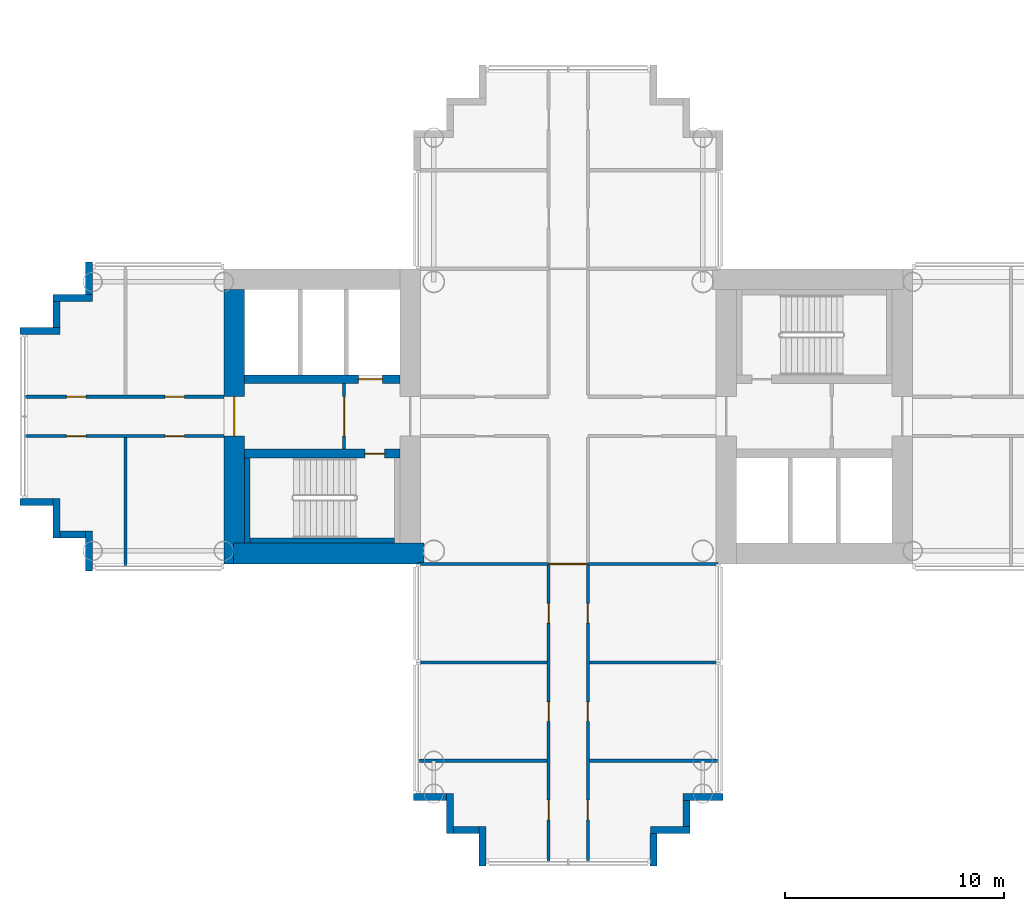
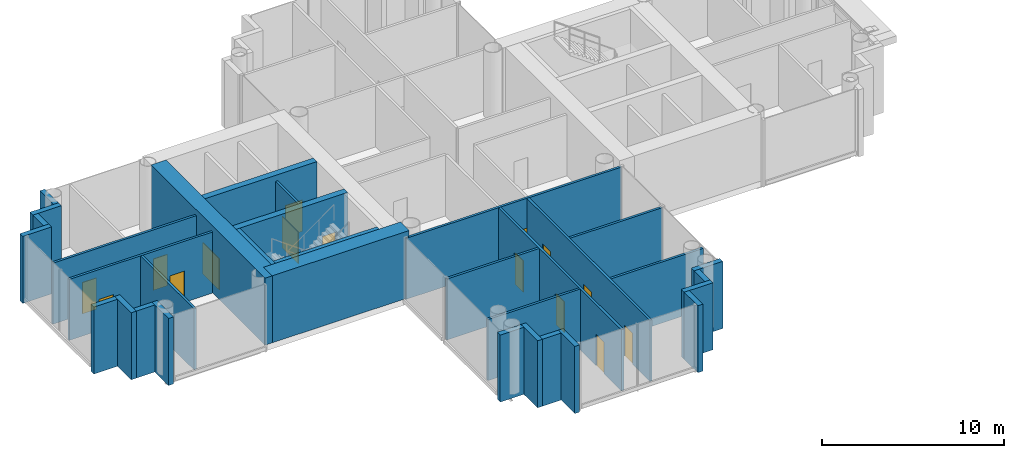
# One storey, part 10 of 20: 33 walls, 15 doors, 15 openings.
"""IFC4 building model written with IfcOpenShell, lengths in metres."""

from ifc_helpers import new_model, si_unit, direction, frame, frame_2d, origin, place, context, subcontext, project, spatial, rectangle, extrude, material, layer, layer_set, type_object, element, fill, save


model = new_model("IFC4")

# Units and contexts
model_context = context("Model", 3, precision=1e-05, world=origin(), true_north=direction((0.0, 1.0)))
body_context = subcontext(model_context, "Body", "Model", "MODEL_VIEW")
ifc_project = project(units=[si_unit("LENGTHUNIT", "METRE"), si_unit("AREAUNIT", "SQUARE_METRE"), si_unit("VOLUMEUNIT", "CUBIC_METRE"), si_unit("PLANEANGLEUNIT", "RADIAN"), si_unit("MASSUNIT", "GRAM", prefix="KILO")], contexts=[model_context])

# Site, building, storey
site_placement = place(None, origin())
site = spatial("IfcSite", under=ifc_project, at=site_placement, CompositionType="ELEMENT")
building_placement = place(site_placement, origin())
building = spatial("IfcBuilding", under=site, at=building_placement, Name="Ipe Terrace Towers", CompositionType="ELEMENT")
storey_placement = place(building_placement, frame((0.0, 0.0, 124.199951171875)))
storey = spatial("IfcBuildingStorey", under=building, at=storey_placement, Name="L34", CompositionType="ELEMENT", Elevation=124.199951171875)

# Walls
ifc_material_1 = material(Name="Concrete C40/50 with buff precast cladding", Category="concrete")
ifc_layer_1 = layer(ifc_material_1, 0.320068359375)
ifc_layer_set_1 = layer_set([ifc_layer_1], Name="BUFF CLADDING WALL 320")
wall_type_1 = type_object("IfcWallType", Name="BUFF CLADDING WALL 320", PredefinedType="STANDARD", material=ifc_layer_set_1)
wall_1_placement = place(storey_placement, frame((-61.070068359375, -3.909912109375, -0.300048828125), z_axis=(0.0, 0.0, 1.0), x_axis=(1.0, 0.0, 0.0)))
element("IfcWall", 1, at=wall_1_placement, inside=storey, type_object=wall_type_1, Name="T1-W-L34-00a wall", PredefinedType="STANDARD", context=body_context, shape_type="SweptSolid", body=[
    extrude(rectangle(XDim=1.5, YDim=0.320068359375, at=frame_2d((0.75, 0.0))), origin(), (0.0, 0.0, 1.0), 4.5),
])
wall_2_placement = place(storey_placement, frame((-59.409912109375, -3.75, -0.300048828125), z_axis=(0.0, 0.0, 1.0), x_axis=(0.0, -1.0, 0.0)))
element("IfcWall", 2, at=wall_2_placement, inside=storey, type_object=wall_type_1, Name="T1-W-L34-01a wall", PredefinedType="STANDARD", context=body_context, shape_type="SweptSolid", body=[
    extrude(rectangle(XDim=1.820068359375, YDim=0.320068359375, at=frame_2d((0.91015625, 0.0))), origin(), (0.0, 0.0, 1.0), 4.5),
])
wall_3_placement = place(storey_placement, frame((-59.25, -5.409912109375, -0.300048828125), z_axis=(0.0, 0.0, 1.0), x_axis=(1.0, 0.0, 0.0)))
element("IfcWall", 3, at=wall_3_placement, inside=storey, type_object=wall_type_1, Name="T1-W-L34-02a wall", PredefinedType="STANDARD", context=body_context, shape_type="SweptSolid", body=[
    extrude(rectangle(XDim=1.179931640625, YDim=0.320068359375, at=frame_2d((0.58984375, 0.0))), origin(), (0.0, 0.0, 1.0), 4.5),
])
wall_4_placement = place(storey_placement, frame((-57.909912109375, -5.25, -0.300048828125), z_axis=(0.0, 0.0, 1.0), x_axis=(0.0, -1.0, 0.0)))
element("IfcWall", 4, at=wall_4_placement, inside=storey, type_object=wall_type_1, Name="T1-W-L34-03a wall", PredefinedType="STANDARD", context=body_context, shape_type="SweptSolid", body=[
    extrude(rectangle(XDim=1.820068359375, YDim=0.320068359375, at=frame_2d((0.91015625, 0.0))), origin(), (0.0, 0.0, 1.0), 4.5),
])
wall_5_placement = place(storey_placement, frame((-43.070068359375, -17.409912109375, -0.300048828125), z_axis=(0.0, 0.0, 1.0), x_axis=(1.0, 0.0, 0.0)))
element("IfcWall", 5, at=wall_5_placement, inside=storey, type_object=wall_type_1, Name="T1-W-L34-08a wall", PredefinedType="STANDARD", context=body_context, shape_type="SweptSolid", body=[
    extrude(rectangle(XDim=1.5, YDim=0.320068359375, at=frame_2d((0.75, 0.0))), origin(), (0.0, 0.0, 1.0), 4.5),
])
wall_6_placement = place(storey_placement, frame((-41.409912109375, -17.25, -0.300048828125), z_axis=(0.0, 0.0, 1.0), x_axis=(0.0, -1.0, 0.0)))
element("IfcWall", 6, at=wall_6_placement, inside=storey, type_object=wall_type_1, Name="T1-W-L34-09a wall", PredefinedType="STANDARD", context=body_context, shape_type="SweptSolid", body=[
    extrude(rectangle(XDim=1.820068359375, YDim=0.320068359375, at=frame_2d((0.91015625, 0.0))), origin(), (0.0, 0.0, 1.0), 4.5),
])
wall_7_placement = place(storey_placement, frame((-41.25, -18.909912109375, -0.300048828125), z_axis=(0.0, 0.0, 1.0), x_axis=(1.0, 0.0, 0.0)))
element("IfcWall", 7, at=wall_7_placement, inside=storey, type_object=wall_type_1, Name="T1-W-L34-10a wall", PredefinedType="STANDARD", context=body_context, shape_type="SweptSolid", body=[
    extrude(rectangle(XDim=1.179931640625, YDim=0.320068359375, at=frame_2d((0.58984375, 0.0))), origin(), (0.0, 0.0, 1.0), 4.5),
])
wall_8_placement = place(storey_placement, frame((-39.909912109375, -18.75, -0.300048828125), z_axis=(0.0, 0.0, 1.0), x_axis=(0.0, -1.0, 0.0)))
element("IfcWall", 8, at=wall_8_placement, inside=storey, type_object=wall_type_1, Name="T1-W-L34-11a wall", PredefinedType="STANDARD", context=body_context, shape_type="SweptSolid", body=[
    extrude(rectangle(XDim=1.820068359375, YDim=0.320068359375, at=frame_2d((0.91015625, 0.0))), origin(), (0.0, 0.0, 1.0), 4.5),
])
wall_9_placement = place(storey_placement, frame((-32.090087890625, -20.570068359375, -0.300048828125), z_axis=(0.0, 0.0, 1.0), x_axis=(0.0, 1.0, 0.0)))
element("IfcWall", 9, at=wall_9_placement, inside=storey, type_object=wall_type_1, Name="T1-W-L34-13a wall", PredefinedType="STANDARD", context=body_context, shape_type="SweptSolid", body=[
    extrude(rectangle(XDim=1.5, YDim=0.320068359375, at=frame_2d((0.75, 0.0))), origin(), (0.0, 0.0, 1.0), 4.5),
])
wall_10_placement = place(storey_placement, frame((-32.25, -18.909912109375, -0.300048828125), z_axis=(0.0, 0.0, 1.0), x_axis=(1.0, 0.0, 0.0)))
element("IfcWall", 10, at=wall_10_placement, inside=storey, type_object=wall_type_1, Name="T1-W-L34-14a wall", PredefinedType="STANDARD", context=body_context, shape_type="SweptSolid", body=[
    extrude(rectangle(XDim=1.820068359375, YDim=0.320068359375, at=frame_2d((0.91015625, 0.0))), origin(), (0.0, 0.0, 1.0), 4.5),
])
wall_11_placement = place(storey_placement, frame((-30.590087890625, -18.75, -0.300048828125), z_axis=(0.0, 0.0, 1.0), x_axis=(0.0, 1.0, 0.0)))
element("IfcWall", 11, at=wall_11_placement, inside=storey, type_object=wall_type_1, Name="T1-W-L34-15a wall", PredefinedType="STANDARD", context=body_context, shape_type="SweptSolid", body=[
    extrude(rectangle(XDim=1.179931640625, YDim=0.320068359375, at=frame_2d((0.58984375, 0.0))), origin(), (0.0, 0.0, 1.0), 4.5),
])
wall_12_placement = place(storey_placement, frame((-30.75, -17.409912109375, -0.300048828125), z_axis=(0.0, 0.0, 1.0), x_axis=(1.0, 0.0, 0.0)))
element("IfcWall", 12, at=wall_12_placement, inside=storey, type_object=wall_type_1, Name="T1-W-L34-16a wall", PredefinedType="STANDARD", context=body_context, shape_type="SweptSolid", body=[
    extrude(rectangle(XDim=1.820068359375, YDim=0.320068359375, at=frame_2d((0.91015625, 0.0))), origin(), (0.0, 0.0, 1.0), 4.5),
])
wall_13_placement = place(storey_placement, frame((-57.909912109375, 7.070068359375, -0.300048828125), z_axis=(0.0, 0.0, 1.0), x_axis=(0.0, -1.0, 0.0)))
element("IfcWall", 13, at=wall_13_placement, inside=storey, type_object=wall_type_1, Name="T1-W-L34-47a wall", PredefinedType="STANDARD", context=body_context, shape_type="SweptSolid", body=[
    extrude(rectangle(XDim=1.5, YDim=0.320068359375, at=frame_2d((0.75, 0.0))), origin(), (0.0, 0.0, 1.0), 4.5),
])
wall_14_placement = place(storey_placement, frame((-57.75, 5.409912109375, -0.300048828125), z_axis=(0.0, 0.0, 1.0), x_axis=(-1.0, 0.0, 0.0)))
element("IfcWall", 14, at=wall_14_placement, inside=storey, type_object=wall_type_1, Name="T1-W-L34-48a wall", PredefinedType="STANDARD", context=body_context, shape_type="SweptSolid", body=[
    extrude(rectangle(XDim=1.820068359375, YDim=0.320068359375, at=frame_2d((0.91015625, 0.0))), origin(), (0.0, 0.0, 1.0), 4.5),
])
wall_15_placement = place(storey_placement, frame((-59.409912109375, 5.25, -0.300048828125), z_axis=(0.0, 0.0, 1.0), x_axis=(0.0, -1.0, 0.0)))
element("IfcWall", 15, at=wall_15_placement, inside=storey, type_object=wall_type_1, Name="T1-W-L34-49a wall", PredefinedType="STANDARD", context=body_context, shape_type="SweptSolid", body=[
    extrude(rectangle(XDim=1.179931640625, YDim=0.320068359375, at=frame_2d((0.58984375, 0.0))), origin(), (0.0, 0.0, 1.0), 4.5),
])
wall_16_placement = place(storey_placement, frame((-59.25, 3.909912109375, -0.300048828125), z_axis=(0.0, 0.0, 1.0), x_axis=(-1.0, 0.0, 0.0)))
element("IfcWall", 16, at=wall_16_placement, inside=storey, type_object=wall_type_1, Name="T1-W-L34-50a wall", PredefinedType="STANDARD", context=body_context, shape_type="SweptSolid", body=[
    extrude(rectangle(XDim=1.820068359375, YDim=0.320068359375, at=frame_2d((0.91015625, 0.0))), origin(), (0.0, 0.0, 1.0), 4.5),
])

# Wall, opening, door
ifc_material_2 = material(Name="Gypsum board partition", Category="plasterboard")
ifc_layer_2 = layer(ifc_material_2, 0.14990234375)
ifc_layer_set_2 = layer_set([ifc_layer_2], Name="Gypsum board partition 150 mm")
wall_type_2 = type_object("IfcWallType", Name="Gypsum board partition 150 mm", PredefinedType="PARTITIONING", material=ifc_layer_set_2)
wall_17_placement = place(storey_placement, frame((-46.25, 1.5, 0.0), z_axis=(0.0, 0.0, 1.0), x_axis=(0.0, -1.0, 0.0)))
wall_17 = element("IfcWall", 17, at=wall_17_placement, inside=storey, type_object=wall_type_2, Name="Gypsum board partition T1 L34 t1c2-lobby-wall", PredefinedType="PARTITIONING", context=body_context, shape_type="SweptSolid", body=[
    extrude(rectangle(XDim=3.0, YDim=0.14990234375, at=frame_2d((1.5, 0.0))), origin(), (0.0, 0.0, 1.0), 4.10009765625),
])
opening_1_placement = place(wall_17_placement, frame((0.60009765625, 0.0, 0.0)))
opening_1 = element("IfcOpeningElement", 18, at=opening_1_placement, cuts=wall_17, Name="Opening T1C2-VD", PredefinedType="OPENING", context=body_context, shape_type="SweptSolid", body=[
    extrude(rectangle(XDim=1.800048828125, YDim=2.10009765625, at=frame_2d((0.89990234375, 1.050048828125))), frame((0.0, 0.0849609375, 0.0), z_axis=(0.0, -1.0, 0.0), x_axis=(1.0, 0.0, 0.0)), (0.0, 0.0, 1.0), 0.169921875),
])
ifc_material_3 = material(Name="Fire-rated timber door leaf", Category="wood")
door_type_1 = type_object("IfcDoorType", Name="Lobby door 1800 x 2100 FD60", OperationType="NOTDEFINED", PredefinedType="DOOR", material=ifc_material_3)
door_1_placement = place(opening_1_placement, origin())
door_1 = element("IfcDoor", 19, at=door_1_placement, inside=storey, type_object=door_type_1, Name="Lobby door T1C2-VD", OperationType="SINGLE_SWING_LEFT", OverallHeight=2.10009765625, OverallWidth=1.800048828125, PredefinedType="DOOR", context=body_context, shape_type="SweptSolid", body=[
    extrude(rectangle(XDim=1.800048828125, YDim=2.10009765625, at=frame_2d((0.89990234375, 1.050048828125))), frame((0.0, 0.02490234375, 0.0), z_axis=(0.0, -1.0, 0.0), x_axis=(1.0, 0.0, 0.0)), (0.0, 0.0, 1.0), 0.050048828125),
])
fill(opening_1, door_1)

# Wall, openings, doors
wall_18_placement = place(storey_placement, frame((-60.85009765625, 0.89990234375, 0.0), z_axis=(0.0, 0.0, 1.0), x_axis=(1.0, 0.0, 0.0)))
wall_18 = element("IfcWall", 20, at=wall_18_placement, inside=storey, type_object=wall_type_2, Name="Gypsum board partition T1 L34 sp-Lm-wp", PredefinedType="PARTITIONING", context=body_context, shape_type="SweptSolid", body=[
    extrude(rectangle(XDim=9.10009765625, YDim=0.14990234375, at=frame_2d((4.550048828125, 0.0))), origin(), (0.0, 0.0, 1.0), 4.10009765625),
])
opening_2_placement = place(wall_18_placement, frame((1.89990234375, 0.0, 0.0)))
opening_2 = element("IfcOpeningElement", 21, at=opening_2_placement, cuts=wall_18, Name="Opening T1-SP-PLm1-FD60", PredefinedType="OPENING", context=body_context, shape_type="SweptSolid", body=[
    extrude(rectangle(XDim=0.89990234375, YDim=2.10009765625, at=frame_2d((0.449951171875, 1.050048828125))), frame((0.0, 0.0849609375, 0.0), z_axis=(0.0, -1.0, 0.0), x_axis=(1.0, 0.0, 0.0)), (0.0, 0.0, 1.0), 0.169921875),
])
opening_3_placement = place(wall_18_placement, frame((6.39990234375, 0.0, 0.0)))
opening_3 = element("IfcOpeningElement", 22, at=opening_3_placement, cuts=wall_18, Name="Opening T1-SP-PLm2-FD60", PredefinedType="OPENING", context=body_context, shape_type="SweptSolid", body=[
    extrude(rectangle(XDim=0.89990234375, YDim=2.10009765625, at=frame_2d((0.449951171875, 1.050048828125))), frame((0.0, 0.0849609375, 0.0), z_axis=(0.0, -1.0, 0.0), x_axis=(1.0, 0.0, 0.0)), (0.0, 0.0, 1.0), 0.169921875),
])
ifc_material_4 = material(Name="Fire-rated timber door leaf", Category="wood")
door_type_2 = type_object("IfcDoorType", Name="Service door 900 x 2100 FD60", OperationType="NOTDEFINED", PredefinedType="DOOR", material=ifc_material_4)
door_2_placement = place(opening_2_placement, origin())
door_2 = element("IfcDoor", 23, at=door_2_placement, inside=storey, type_object=door_type_2, Name="Service door T1-SP-PLm1-FD60", OperationType="SINGLE_SWING_RIGHT", OverallHeight=2.10009765625, OverallWidth=0.89990234375, PredefinedType="DOOR", context=body_context, shape_type="SweptSolid", body=[
    extrude(rectangle(XDim=0.89990234375, YDim=2.10009765625, at=frame_2d((0.449951171875, 1.050048828125))), frame((0.0, 0.02490234375, 0.0), z_axis=(0.0, -1.0, 0.0), x_axis=(1.0, 0.0, 0.0)), (0.0, 0.0, 1.0), 0.050048828125),
])
fill(opening_2, door_2)
door_3_placement = place(opening_3_placement, origin())
door_3 = element("IfcDoor", 24, at=door_3_placement, inside=storey, type_object=door_type_2, Name="Service door T1-SP-PLm2-FD60", OperationType="SINGLE_SWING_LEFT", OverallHeight=2.10009765625, OverallWidth=0.89990234375, PredefinedType="DOOR", context=body_context, shape_type="SweptSolid", body=[
    extrude(rectangle(XDim=0.89990234375, YDim=2.10009765625, at=frame_2d((0.449951171875, 1.050048828125))), frame((0.0, 0.02490234375, 0.0), z_axis=(0.0, -1.0, 0.0), x_axis=(1.0, 0.0, 0.0)), (0.0, 0.0, 1.0), 0.050048828125),
])
fill(opening_3, door_3)

wall_19_placement = place(storey_placement, frame((-60.85009765625, -0.89990234375, 0.0), z_axis=(0.0, 0.0, 1.0), x_axis=(1.0, 0.0, 0.0)))
wall_19 = element("IfcWall", 25, at=wall_19_placement, inside=storey, type_object=wall_type_2, Name="Gypsum board partition T1 L34 sp-Lm-wm", PredefinedType="PARTITIONING", context=body_context, shape_type="SweptSolid", body=[
    extrude(rectangle(XDim=9.10009765625, YDim=0.14990234375, at=frame_2d((4.550048828125, 0.0))), origin(), (0.0, 0.0, 1.0), 4.10009765625),
])
opening_4_placement = place(wall_19_placement, frame((1.89990234375, 0.0, 0.0)))
opening_4 = element("IfcOpeningElement", 26, at=opening_4_placement, cuts=wall_19, Name="Opening T1-SP-MLm1-FD60", PredefinedType="OPENING", context=body_context, shape_type="SweptSolid", body=[
    extrude(rectangle(XDim=0.89990234375, YDim=2.10009765625, at=frame_2d((0.449951171875, 1.050048828125))), frame((0.0, 0.0849609375, 0.0), z_axis=(0.0, -1.0, 0.0), x_axis=(1.0, 0.0, 0.0)), (0.0, 0.0, 1.0), 0.169921875),
])
opening_5_placement = place(wall_19_placement, frame((6.39990234375, 0.0, 0.0)))
opening_5 = element("IfcOpeningElement", 27, at=opening_5_placement, cuts=wall_19, Name="Opening T1-SP-MLm2-FD60", PredefinedType="OPENING", context=body_context, shape_type="SweptSolid", body=[
    extrude(rectangle(XDim=0.89990234375, YDim=2.10009765625, at=frame_2d((0.449951171875, 1.050048828125))), frame((0.0, 0.0849609375, 0.0), z_axis=(0.0, -1.0, 0.0), x_axis=(1.0, 0.0, 0.0)), (0.0, 0.0, 1.0), 0.169921875),
])
door_4_placement = place(opening_4_placement, origin())
door_4 = element("IfcDoor", 28, at=door_4_placement, inside=storey, type_object=door_type_2, Name="Service door T1-SP-MLm1-FD60", OperationType="SINGLE_SWING_LEFT", OverallHeight=2.10009765625, OverallWidth=0.89990234375, PredefinedType="DOOR", context=body_context, shape_type="SweptSolid", body=[
    extrude(rectangle(XDim=0.89990234375, YDim=2.10009765625, at=frame_2d((0.449951171875, 1.050048828125))), frame((0.0, 0.02490234375, 0.0), z_axis=(0.0, -1.0, 0.0), x_axis=(1.0, 0.0, 0.0)), (0.0, 0.0, 1.0), 0.050048828125),
])
fill(opening_4, door_4)
door_5_placement = place(opening_5_placement, origin())
door_5 = element("IfcDoor", 29, at=door_5_placement, inside=storey, type_object=door_type_2, Name="Service door T1-SP-MLm2-FD60", OperationType="SINGLE_SWING_RIGHT", OverallHeight=2.10009765625, OverallWidth=0.89990234375, PredefinedType="DOOR", context=body_context, shape_type="SweptSolid", body=[
    extrude(rectangle(XDim=0.89990234375, YDim=2.10009765625, at=frame_2d((0.449951171875, 1.050048828125))), frame((0.0, 0.02490234375, 0.0), z_axis=(0.0, -1.0, 0.0), x_axis=(1.0, 0.0, 0.0)), (0.0, 0.0, 1.0), 0.050048828125),
])
fill(opening_5, door_5)

# Wall
wall_20_placement = place(storey_placement, frame((-56.25, -0.97509765625, 0.0), z_axis=(0.0, 0.0, 1.0), x_axis=(0.0, -1.0, 0.0)))
element("IfcWall", 30, at=wall_20_placement, inside=storey, type_object=wall_type_2, Name="Gypsum board partition T1 L34 sp-Lm-dm1", PredefinedType="PARTITIONING", context=body_context, shape_type="SweptSolid", body=[
    extrude(rectangle(XDim=5.875, YDim=0.14990234375, at=frame_2d((2.9375, 0.0))), origin(), (0.0, 0.0, 1.0), 4.10009765625),
])

# Wall, opening, door
wall_21_placement = place(storey_placement, frame((-42.85009765625, -6.75, 0.0), z_axis=(0.0, 0.0, 1.0), x_axis=(1.0, 0.0, 0.0)))
wall_21 = element("IfcWall", 31, at=wall_21_placement, inside=storey, type_object=wall_type_2, Name="Gypsum board partition T1 L34 sp-Sm-mouth", PredefinedType="PARTITIONING", context=body_context, shape_type="SweptSolid", body=[
    extrude(rectangle(XDim=13.7001953125, YDim=0.14990234375, at=frame_2d((6.85009765625, 0.0))), origin(), (0.0, 0.0, 1.0), 4.10009765625),
])
opening_6_placement = place(wall_21_placement, frame((5.949951171875, 0.0, 0.0)))
opening_6 = element("IfcOpeningElement", 32, at=opening_6_placement, cuts=wall_21, Name="Opening T1-SP-MSm", PredefinedType="OPENING", context=body_context, shape_type="SweptSolid", body=[
    extrude(rectangle(XDim=1.800048828125, YDim=2.10009765625, at=frame_2d((0.89990234375, 1.050048828125))), frame((0.0, 0.0849609375, 0.0), z_axis=(0.0, -1.0, 0.0), x_axis=(1.0, 0.0, 0.0)), (0.0, 0.0, 1.0), 0.169921875),
])
ifc_material_5 = material(Name="Fire-rated timber door leaf", Category="wood")
door_type_3 = type_object("IfcDoorType", Name="Lobby door 1800 x 2100 FD30S", OperationType="NOTDEFINED", PredefinedType="DOOR", material=ifc_material_5)
door_6_placement = place(opening_6_placement, origin())
door_6 = element("IfcDoor", 33, at=door_6_placement, inside=storey, type_object=door_type_3, Name="Lobby door T1-SP-MSm", OperationType="SINGLE_SWING_RIGHT", OverallHeight=2.10009765625, OverallWidth=1.800048828125, PredefinedType="DOOR", context=body_context, shape_type="SweptSolid", body=[
    extrude(rectangle(XDim=1.800048828125, YDim=2.10009765625, at=frame_2d((0.89990234375, 1.050048828125))), frame((0.0, 0.02490234375, 0.0), z_axis=(0.0, -1.0, 0.0), x_axis=(1.0, 0.0, 0.0)), (0.0, 0.0, 1.0), 0.050048828125),
])
fill(opening_6, door_6)

# Wall, openings, doors
wall_22_placement = place(storey_placement, frame((-35.10009765625, -20.35009765625, 0.0), z_axis=(0.0, 0.0, 1.0), x_axis=(0.0, 1.0, 0.0)))
wall_22 = element("IfcWall", 34, at=wall_22_placement, inside=storey, type_object=wall_type_2, Name="Gypsum board partition T1 L34 sp-Sm-wp", PredefinedType="PARTITIONING", context=body_context, shape_type="SweptSolid", body=[
    extrude(rectangle(XDim=13.525146484375, YDim=0.14990234375, at=frame_2d((6.7626953125, 0.0))), origin(), (0.0, 0.0, 1.0), 4.10009765625),
])
opening_7_placement = place(wall_22_placement, frame((1.89990234375, 0.0, 0.0)))
opening_7 = element("IfcOpeningElement", 35, at=opening_7_placement, cuts=wall_22, Name="Opening T1-SP-PSm1-FD60", PredefinedType="OPENING", context=body_context, shape_type="SweptSolid", body=[
    extrude(rectangle(XDim=0.89990234375, YDim=2.10009765625, at=frame_2d((0.449951171875, 1.050048828125))), frame((0.0, 0.0849609375, 0.0), z_axis=(0.0, -1.0, 0.0), x_axis=(1.0, 0.0, 0.0)), (0.0, 0.0, 1.0), 0.169921875),
])
opening_8_placement = place(wall_22_placement, frame((6.39990234375, 0.0, 0.0)))
opening_8 = element("IfcOpeningElement", 36, at=opening_8_placement, cuts=wall_22, Name="Opening T1-SP-PSm2-FD60", PredefinedType="OPENING", context=body_context, shape_type="SweptSolid", body=[
    extrude(rectangle(XDim=0.89990234375, YDim=2.10009765625, at=frame_2d((0.449951171875, 1.050048828125))), frame((0.0, 0.0849609375, 0.0), z_axis=(0.0, -1.0, 0.0), x_axis=(1.0, 0.0, 0.0)), (0.0, 0.0, 1.0), 0.169921875),
])
opening_9_placement = place(wall_22_placement, frame((10.89990234375, 0.0, 0.0)))
opening_9 = element("IfcOpeningElement", 37, at=opening_9_placement, cuts=wall_22, Name="Opening T1-SP-PSm3-FD60", PredefinedType="OPENING", context=body_context, shape_type="SweptSolid", body=[
    extrude(rectangle(XDim=0.89990234375, YDim=2.10009765625, at=frame_2d((0.449951171875, 1.050048828125))), frame((0.0, 0.0849609375, 0.0), z_axis=(0.0, -1.0, 0.0), x_axis=(1.0, 0.0, 0.0)), (0.0, 0.0, 1.0), 0.169921875),
])
door_7_placement = place(opening_7_placement, origin())
door_7 = element("IfcDoor", 38, at=door_7_placement, inside=storey, type_object=door_type_2, Name="Service door T1-SP-PSm1-FD60", OperationType="SINGLE_SWING_LEFT", OverallHeight=2.10009765625, OverallWidth=0.89990234375, PredefinedType="DOOR", context=body_context, shape_type="SweptSolid", body=[
    extrude(rectangle(XDim=0.89990234375, YDim=2.10009765625, at=frame_2d((0.449951171875, 1.050048828125))), frame((0.0, 0.02490234375, 0.0), z_axis=(0.0, -1.0, 0.0), x_axis=(1.0, 0.0, 0.0)), (0.0, 0.0, 1.0), 0.050048828125),
])
fill(opening_7, door_7)
door_8_placement = place(opening_8_placement, origin())
door_8 = element("IfcDoor", 39, at=door_8_placement, inside=storey, type_object=door_type_2, Name="Service door T1-SP-PSm2-FD60", OperationType="SINGLE_SWING_RIGHT", OverallHeight=2.10009765625, OverallWidth=0.89990234375, PredefinedType="DOOR", context=body_context, shape_type="SweptSolid", body=[
    extrude(rectangle(XDim=0.89990234375, YDim=2.10009765625, at=frame_2d((0.449951171875, 1.050048828125))), frame((0.0, 0.02490234375, 0.0), z_axis=(0.0, -1.0, 0.0), x_axis=(1.0, 0.0, 0.0)), (0.0, 0.0, 1.0), 0.050048828125),
])
fill(opening_8, door_8)
door_9_placement = place(opening_9_placement, origin())
door_9 = element("IfcDoor", 40, at=door_9_placement, inside=storey, type_object=door_type_2, Name="Service door T1-SP-PSm3-FD60", OperationType="SINGLE_SWING_LEFT", OverallHeight=2.10009765625, OverallWidth=0.89990234375, PredefinedType="DOOR", context=body_context, shape_type="SweptSolid", body=[
    extrude(rectangle(XDim=0.89990234375, YDim=2.10009765625, at=frame_2d((0.449951171875, 1.050048828125))), frame((0.0, 0.02490234375, 0.0), z_axis=(0.0, -1.0, 0.0), x_axis=(1.0, 0.0, 0.0)), (0.0, 0.0, 1.0), 0.050048828125),
])
fill(opening_9, door_9)

# Walls
for number, where, z_axis, x_axis, name in (
    (41, (-35.02490234375, -15.75, 0.0), (0.0, 0.0, 1.0), (1.0, 0.0, 0.0), "Gypsum board partition T1 L34 sp-Sm-dp1"),
    (42, (-35.02490234375, -11.25, 0.0), (0.0, 0.0, 1.0), (1.0, 0.0, 0.0), "Gypsum board partition T1 L34 sp-Sm-dp2"),
):
    element("IfcWall", number, at=place(storey_placement, frame(where, z_axis=z_axis, x_axis=x_axis)), inside=storey, type_object=wall_type_2, Name=name, PredefinedType="PARTITIONING", context=body_context, shape_type="SweptSolid", body=[
        extrude(rectangle(XDim=5.875, YDim=0.14990234375, at=frame_2d((2.9375, 0.0))), origin(), (0.0, 0.0, 1.0), 4.10009765625),
    ])

# Wall, openings, doors
wall_23_placement = place(storey_placement, frame((-36.89990234375, -20.35009765625, 0.0), z_axis=(0.0, 0.0, 1.0), x_axis=(0.0, 1.0, 0.0)))
wall_23 = element("IfcWall", 43, at=wall_23_placement, inside=storey, type_object=wall_type_2, Name="Gypsum board partition T1 L34 sp-Sm-wm", PredefinedType="PARTITIONING", context=body_context, shape_type="SweptSolid", body=[
    extrude(rectangle(XDim=13.525146484375, YDim=0.14990234375, at=frame_2d((6.7626953125, 0.0))), origin(), (0.0, 0.0, 1.0), 4.10009765625),
])
opening_10_placement = place(wall_23_placement, frame((1.89990234375, 0.0, 0.0)))
opening_10 = element("IfcOpeningElement", 44, at=opening_10_placement, cuts=wall_23, Name="Opening T1-SP-MSm1-FD60", PredefinedType="OPENING", context=body_context, shape_type="SweptSolid", body=[
    extrude(rectangle(XDim=0.89990234375, YDim=2.10009765625, at=frame_2d((0.449951171875, 1.050048828125))), frame((0.0, 0.0849609375, 0.0), z_axis=(0.0, -1.0, 0.0), x_axis=(1.0, 0.0, 0.0)), (0.0, 0.0, 1.0), 0.169921875),
])
opening_11_placement = place(wall_23_placement, frame((6.39990234375, 0.0, 0.0)))
opening_11 = element("IfcOpeningElement", 45, at=opening_11_placement, cuts=wall_23, Name="Opening T1-SP-MSm2-FD60", PredefinedType="OPENING", context=body_context, shape_type="SweptSolid", body=[
    extrude(rectangle(XDim=0.89990234375, YDim=2.10009765625, at=frame_2d((0.449951171875, 1.050048828125))), frame((0.0, 0.0849609375, 0.0), z_axis=(0.0, -1.0, 0.0), x_axis=(1.0, 0.0, 0.0)), (0.0, 0.0, 1.0), 0.169921875),
])
opening_12_placement = place(wall_23_placement, frame((10.89990234375, 0.0, 0.0)))
opening_12 = element("IfcOpeningElement", 46, at=opening_12_placement, cuts=wall_23, Name="Opening T1-SP-MSm3-FD60", PredefinedType="OPENING", context=body_context, shape_type="SweptSolid", body=[
    extrude(rectangle(XDim=0.89990234375, YDim=2.10009765625, at=frame_2d((0.449951171875, 1.050048828125))), frame((0.0, 0.0849609375, 0.0), z_axis=(0.0, -1.0, 0.0), x_axis=(1.0, 0.0, 0.0)), (0.0, 0.0, 1.0), 0.169921875),
])
door_10_placement = place(opening_10_placement, origin())
door_10 = element("IfcDoor", 47, at=door_10_placement, inside=storey, type_object=door_type_2, Name="Service door T1-SP-MSm1-FD60", OperationType="SINGLE_SWING_RIGHT", OverallHeight=2.10009765625, OverallWidth=0.89990234375, PredefinedType="DOOR", context=body_context, shape_type="SweptSolid", body=[
    extrude(rectangle(XDim=0.89990234375, YDim=2.10009765625, at=frame_2d((0.449951171875, 1.050048828125))), frame((0.0, 0.02490234375, 0.0), z_axis=(0.0, -1.0, 0.0), x_axis=(1.0, 0.0, 0.0)), (0.0, 0.0, 1.0), 0.050048828125),
])
fill(opening_10, door_10)
door_11_placement = place(opening_11_placement, origin())
door_11 = element("IfcDoor", 48, at=door_11_placement, inside=storey, type_object=door_type_2, Name="Service door T1-SP-MSm2-FD60", OperationType="SINGLE_SWING_LEFT", OverallHeight=2.10009765625, OverallWidth=0.89990234375, PredefinedType="DOOR", context=body_context, shape_type="SweptSolid", body=[
    extrude(rectangle(XDim=0.89990234375, YDim=2.10009765625, at=frame_2d((0.449951171875, 1.050048828125))), frame((0.0, 0.02490234375, 0.0), z_axis=(0.0, -1.0, 0.0), x_axis=(1.0, 0.0, 0.0)), (0.0, 0.0, 1.0), 0.050048828125),
])
fill(opening_11, door_11)
door_12_placement = place(opening_12_placement, origin())
door_12 = element("IfcDoor", 49, at=door_12_placement, inside=storey, type_object=door_type_2, Name="Service door T1-SP-MSm3-FD60", OperationType="SINGLE_SWING_RIGHT", OverallHeight=2.10009765625, OverallWidth=0.89990234375, PredefinedType="DOOR", context=body_context, shape_type="SweptSolid", body=[
    extrude(rectangle(XDim=0.89990234375, YDim=2.10009765625, at=frame_2d((0.449951171875, 1.050048828125))), frame((0.0, 0.02490234375, 0.0), z_axis=(0.0, -1.0, 0.0), x_axis=(1.0, 0.0, 0.0)), (0.0, 0.0, 1.0), 0.050048828125),
])
fill(opening_12, door_12)

# Walls
for number, where, z_axis, x_axis, name in (
    (50, (-36.97509765625, -15.75, 0.0), (0.0, 0.0, 1.0), (-1.0, 0.0, 0.0), "Gypsum board partition T1 L34 sp-Sm-dm1"),
    (51, (-36.97509765625, -11.25, 0.0), (0.0, 0.0, 1.0), (-1.0, 0.0, 0.0), "Gypsum board partition T1 L34 sp-Sm-dm2"),
):
    element("IfcWall", number, at=place(storey_placement, frame(where, z_axis=z_axis, x_axis=x_axis)), inside=storey, type_object=wall_type_2, Name=name, PredefinedType="PARTITIONING", context=body_context, shape_type="SweptSolid", body=[
        extrude(rectangle(XDim=5.875, YDim=0.14990234375, at=frame_2d((2.9375, 0.0))), origin(), (0.0, 0.0, 1.0), 4.10009765625),
    ])
ifc_material_6 = material(Name="Concrete C50/60", Category="concrete")
ifc_layer_3 = layer(ifc_material_6, 0.25)
ifc_layer_set_3 = layer_set([ifc_layer_3], Name="RW250 CORE INFILL WALL 250 C50-60")
wall_type_3 = type_object("IfcWallType", Name="RW250 CORE INFILL WALL 250 C50-60", PredefinedType="SHEAR", material=ifc_layer_set_3)
wall_24_placement = place(storey_placement, frame((-50.675048828125, -1.89990234375, 0.0), z_axis=(0.0, 0.0, 1.0), x_axis=(0.0, -1.0, 0.0)))
element("IfcWall", 52, at=wall_24_placement, inside=storey, type_object=wall_type_3, Name="Core infill wall T1-C2-far", PredefinedType="SHEAR", context=body_context, shape_type="SweptSolid", body=[
    extrude(rectangle(XDim=3.900146484375, YDim=0.25, at=frame_2d((1.9501953125, 0.0))), origin(), (0.0, 0.0, 1.0), 4.5),
])
wall_25_placement = place(storey_placement, frame((-43.949951171875, -5.675048828125, 0.0), z_axis=(0.0, 0.0, 1.0), x_axis=(-1.0, 0.0, 0.0)))
element("IfcWall", 53, at=wall_25_placement, inside=storey, type_object=wall_type_3, Name="Core infill wall T1-C2-back", PredefinedType="SHEAR", context=body_context, shape_type="SweptSolid", body=[
    extrude(rectangle(XDim=6.60009765625, YDim=0.25, at=frame_2d((3.300048828125, 0.0))), origin(), (0.0, 0.0, 1.0), 4.5),
])

# Wall, opening, door
ifc_material_7 = material(Name="Concrete C50/60", Category="concrete")
ifc_layer_4 = layer(ifc_material_7, 0.39990234375)
ifc_layer_set_4 = layer_set([ifc_layer_4], Name="RW400 CORE SPINE WALL 400 C50-60")
wall_type_4 = type_object("IfcWallType", Name="RW400 CORE SPINE WALL 400 C50-60", PredefinedType="SHEAR", material=ifc_layer_set_4)
wall_26_placement = place(storey_placement, frame((-50.800048828125, -1.699951171875, 0.0), z_axis=(0.0, 0.0, 1.0), x_axis=(1.0, 0.0, 0.0)))
wall_26 = element("IfcWall", 54, at=wall_26_placement, inside=storey, type_object=wall_type_4, Name="Core spine wall T1-C2-Z2-SW1", PredefinedType="SHEAR", context=body_context, shape_type="SweptSolid", body=[
    extrude(rectangle(XDim=7.10009765625, YDim=0.39990234375, at=frame_2d((3.550048828125, 0.0))), origin(), (0.0, 0.0, 1.0), 4.5),
])
opening_13_placement = place(wall_26_placement, frame((5.5, 0.0, 0.0)))
opening_13 = element("IfcOpeningElement", 55, at=opening_13_placement, cuts=wall_26, Name="Opening T1C2-SD", PredefinedType="OPENING", context=body_context, shape_type="SweptSolid", body=[
    extrude(rectangle(XDim=0.89990234375, YDim=2.10009765625, at=frame_2d((0.449951171875, 1.050048828125))), frame((0.0, 0.2099609375, 0.0), z_axis=(0.0, -1.0, 0.0), x_axis=(1.0, 0.0, 0.0)), (0.0, 0.0, 1.0), 0.419921875),
])
ifc_material_8 = material(Name="Fire-rated timber door leaf", Category="wood")
door_type_4 = type_object("IfcDoorType", Name="Stair door 900 x 2100 FD60", OperationType="NOTDEFINED", PredefinedType="DOOR", material=ifc_material_8)
door_13_placement = place(opening_13_placement, origin())
door_13 = element("IfcDoor", 56, at=door_13_placement, inside=storey, type_object=door_type_4, Name="Stair door T1C2-SD", OperationType="SINGLE_SWING_RIGHT", OverallHeight=2.10009765625, OverallWidth=0.89990234375, PredefinedType="DOOR", context=body_context, shape_type="SweptSolid", body=[
    extrude(rectangle(XDim=0.89990234375, YDim=2.10009765625, at=frame_2d((0.449951171875, 1.050048828125))), frame((0.0, 0.02490234375, 0.0), z_axis=(0.0, -1.0, 0.0), x_axis=(1.0, 0.0, 0.0)), (0.0, 0.0, 1.0), 0.050048828125),
])
fill(opening_13, door_13)

wall_27_placement = place(storey_placement, frame((-50.800048828125, 1.699951171875, 0.0), z_axis=(0.0, 0.0, 1.0), x_axis=(1.0, 0.0, 0.0)))
wall_27 = element("IfcWall", 57, at=wall_27_placement, inside=storey, type_object=wall_type_4, Name="Core spine wall T1-C2-Z2-SW2", PredefinedType="SHEAR", context=body_context, shape_type="SweptSolid", body=[
    extrude(rectangle(XDim=7.10009765625, YDim=0.39990234375, at=frame_2d((3.550048828125, 0.0))), origin(), (0.0, 0.0, 1.0), 4.5),
])
opening_14_placement = place(wall_27_placement, frame((5.199951171875, 0.0, 0.0)))
opening_14 = element("IfcOpeningElement", 58, at=opening_14_placement, cuts=wall_27, Name="Opening T1C2-LD1", PredefinedType="OPENING", context=body_context, shape_type="SweptSolid", body=[
    extrude(rectangle(XDim=1.10009765625, YDim=2.10009765625, at=frame_2d((0.550048828125, 1.050048828125))), frame((0.0, 0.2099609375, 0.0), z_axis=(0.0, -1.0, 0.0), x_axis=(1.0, 0.0, 0.0)), (0.0, 0.0, 1.0), 0.419921875),
])
ifc_material_9 = material(Name="Fire-rated timber door leaf", Category="wood")
door_type_5 = type_object("IfcDoorType", Name="Sliding door 1100 x 2100 FD60", OperationType="SLIDING_TO_LEFT", PredefinedType="DOOR", material=ifc_material_9)
door_14_placement = place(opening_14_placement, origin())
door_14 = element("IfcDoor", 59, at=door_14_placement, inside=storey, type_object=door_type_5, Name="Sliding door T1C2-LD1", OperationType="SLIDING_TO_LEFT", OverallHeight=2.10009765625, OverallWidth=1.10009765625, PredefinedType="DOOR", context=body_context, shape_type="SweptSolid", body=[
    extrude(rectangle(XDim=1.10009765625, YDim=2.10009765625, at=frame_2d((0.550048828125, 1.050048828125))), frame((0.0, 0.02490234375, 0.0), z_axis=(0.0, -1.0, 0.0), x_axis=(1.0, 0.0, 0.0)), (0.0, 0.0, 1.0), 0.050048828125),
])
fill(opening_14, door_14)

# Wall
ifc_material_10 = material(Name="Concrete C50/60", Category="concrete")
ifc_layer_5 = layer(ifc_material_10, 0.949951171875)
ifc_layer_set_5 = layer_set([ifc_layer_5], Name="RW950 CORE WALL 950 C50-60")
wall_type_5 = type_object("IfcWallType", Name="RW950 CORE WALL 950 C50-60", PredefinedType="SHEAR", material=ifc_layer_set_5)
wall_28_placement = place(storey_placement, frame((-51.298095703125, -6.27490234375, 0.0), z_axis=(0.0, 0.0, 1.0), x_axis=(1.0, 0.0, 0.0)))
element("IfcWall", 60, at=wall_28_placement, inside=storey, type_object=wall_type_5, Name="Core wall T1-C2-Z2-W01", PredefinedType="SHEAR", context=body_context, shape_type="SweptSolid", body=[
    extrude(rectangle(XDim=8.696044921875, YDim=0.949951171875, at=frame_2d((4.34814453125, 0.0))), origin(), (0.0, 0.0, 1.0), 4.5),
])

# Wall, opening, door
wall_29_placement = place(storey_placement, frame((-51.27490234375, 5.800048828125, 0.0), z_axis=(0.0, 0.0, 1.0), x_axis=(0.0, -1.0, 0.0)))
wall_29 = element("IfcWall", 61, at=wall_29_placement, inside=storey, type_object=wall_type_5, Name="Core wall T1-C2-Z2-W04", PredefinedType="SHEAR", context=body_context, shape_type="SweptSolid", body=[
    extrude(rectangle(XDim=12.550048828125, YDim=0.949951171875, at=frame_2d((6.27490234375, 0.0))), origin(), (0.0, 0.0, 1.0), 4.5),
])
opening_15_placement = place(wall_29_placement, frame((4.89990234375, 0.0, 0.0)))
opening_15 = element("IfcOpeningElement", 62, at=opening_15_placement, cuts=wall_29, Name="Opening T1C2-FD", PredefinedType="OPENING", context=body_context, shape_type="SweptSolid", body=[
    extrude(rectangle(XDim=1.800048828125, YDim=2.10009765625, at=frame_2d((0.89990234375, 1.050048828125))), frame((0.0, 0.48486328125, 0.0), z_axis=(0.0, -1.0, 0.0), x_axis=(1.0, 0.0, 0.0)), (0.0, 0.0, 1.0), 0.969970703125),
])
ifc_material_11 = material(Name="Fire-rated timber door leaf", Category="wood")
door_type_6 = type_object("IfcDoorType", Name="Fire door 1800 x 2100 FD30S", OperationType="NOTDEFINED", PredefinedType="DOOR", material=ifc_material_11)
door_15_placement = place(opening_15_placement, origin())
door_15 = element("IfcDoor", 63, at=door_15_placement, inside=storey, type_object=door_type_6, Name="Fire door T1C2-FD", OperationType="SINGLE_SWING_LEFT", OverallHeight=2.10009765625, OverallWidth=1.800048828125, PredefinedType="DOOR", context=body_context, shape_type="SweptSolid", body=[
    extrude(rectangle(XDim=1.800048828125, YDim=2.10009765625, at=frame_2d((0.89990234375, 1.050048828125))), frame((0.0, 0.02490234375, 0.0), z_axis=(0.0, -1.0, 0.0), x_axis=(1.0, 0.0, 0.0)), (0.0, 0.0, 1.0), 0.050048828125),
])
fill(opening_15, door_15)

save(model, "model.ifc")
